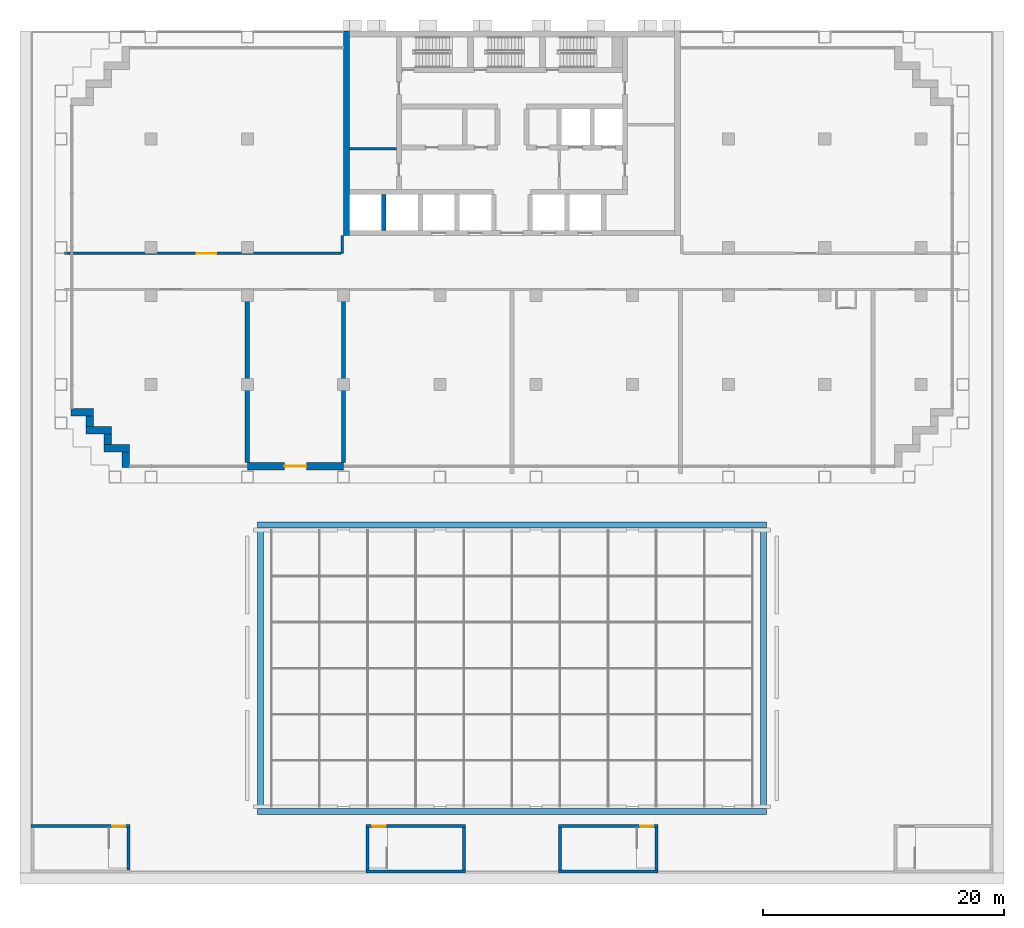
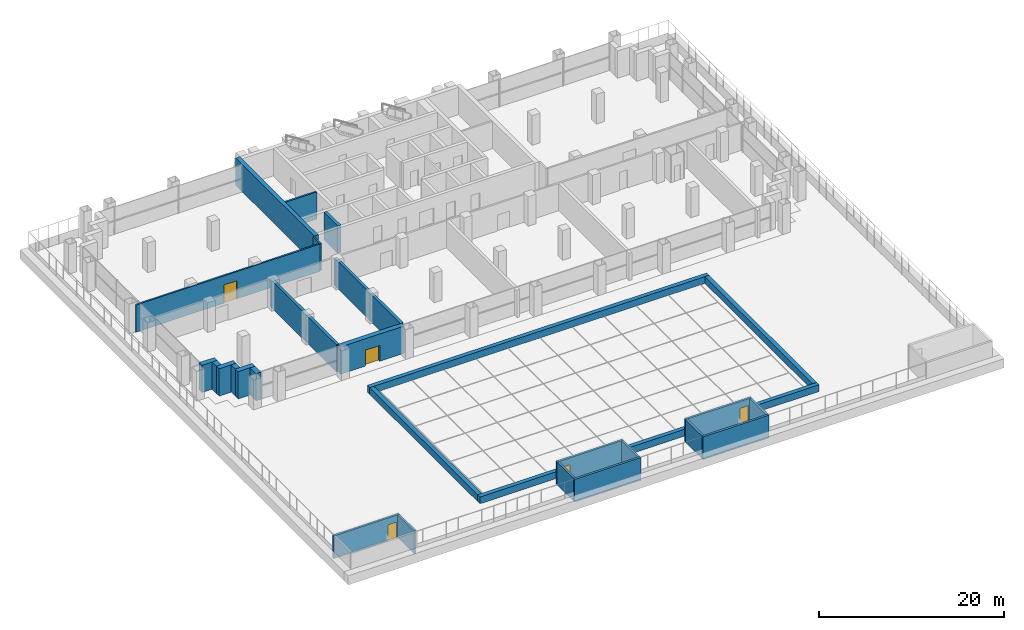
# One storey, part 10 of 16: 28 walls, 5 doors, 5 openings.
"""IFC4 building model written with IfcOpenShell, lengths in metres."""

from ifc_helpers import new_model, si_unit, direction, frame, frame_2d, origin, place, context, subcontext, project, spatial, rectangle, extrude, material, layer, layer_set, type_object, element, fill, save


model = new_model("IFC4")

# Units and contexts
model_context = context("Model", 3, precision=1e-05, world=origin(), true_north=direction((0.0, 1.0)))
body_context = subcontext(model_context, "Body", "Model", "MODEL_VIEW")
ifc_project = project(units=[si_unit("LENGTHUNIT", "METRE"), si_unit("AREAUNIT", "SQUARE_METRE"), si_unit("VOLUMEUNIT", "CUBIC_METRE"), si_unit("PLANEANGLEUNIT", "RADIAN"), si_unit("MASSUNIT", "GRAM", prefix="KILO")], contexts=[model_context])

# Site, building, storey
site_placement = place(None, origin())
site = spatial("IfcSite", under=ifc_project, at=site_placement, CompositionType="ELEMENT")
building_placement = place(site_placement, origin())
building = spatial("IfcBuilding", under=site, at=building_placement, Name="Vidyagriha Tower", CompositionType="ELEMENT")
storey_placement = place(building_placement, frame((0.0, 0.0, 26.0)))
storey = spatial("IfcBuildingStorey", under=building, at=storey_placement, Name="L06", CompositionType="ELEMENT", Elevation=26.0)

# Walls
ifc_material_1 = material(Name="Precast concrete C40/50 with brick facing", Category="concrete")
ifc_layer_1 = layer(ifc_material_1, 0.5)
ifc_layer_set_1 = layer_set([ifc_layer_1], Name="Precast concrete C40/50 with brick facing")
wall_type_1 = type_object("IfcWallType", Name="Brick skylight upstand 500", PredefinedType="STANDARD", material=ifc_layer_set_1)
for number, where, name in (
    (1, (-21.14990234375, -44.89990234375, 0.0), "Atrium rooflight brick upstand S"),
    (2, (-21.14990234375, -21.10009765625, 0.0), "Atrium rooflight brick upstand N"),
):
    element("IfcWall", number, at=place(storey_placement, frame(where)), inside=storey, type_object=wall_type_1, Name=name, PredefinedType="STANDARD", context=body_context, shape_type="SweptSolid", body=[
        extrude(rectangle(XDim=42.2998046875, YDim=0.5, at=frame_2d((21.14990234375, 0.0))), origin(), (0.0, 0.0, 1.0), 0.89990234375),
    ])
for number, where, z_axis, x_axis, name in (
    (3, (-20.89990234375, -44.64990234375, 0.0), (0.0, 0.0, 1.0), (0.0, 1.0, 0.0), "Atrium rooflight brick upstand W"),
    (4, (20.89990234375, -44.64990234375, 0.0), (0.0, 0.0, 1.0), (0.0, 1.0, 0.0), "Atrium rooflight brick upstand E"),
):
    element("IfcWall", number, at=place(storey_placement, frame(where, z_axis=z_axis, x_axis=x_axis)), inside=storey, type_object=wall_type_1, Name=name, PredefinedType="STANDARD", context=body_context, shape_type="SweptSolid", body=[
        extrude(rectangle(XDim=23.2998046875, YDim=0.5, at=frame_2d((11.64990234375, 0.0))), origin(), (0.0, 0.0, 1.0), 0.89990234375),
    ])
ifc_material_2 = material(Name="Precast concrete C40/50 with brick facing", Category="concrete")
ifc_layer_2 = layer(ifc_material_2, 0.60009765625)
ifc_layer_set_2 = layer_set([ifc_layer_2], Name="Precast concrete C40/50 with brick facing")
wall_type_2 = type_object("IfcWallType", Name="Brick-faced precast wall 600", PredefinedType="STANDARD", material=ifc_layer_set_2)
wall_1_placement = place(storey_placement, frame((-36.679931640625, -11.699951171875, 0.0)))
element("IfcWall", 5, at=wall_1_placement, inside=storey, type_object=wall_type_2, Name="Stepped corner wall L06 R17", PredefinedType="STANDARD", context=body_context, shape_type="SweptSolid", body=[
    extrude(rectangle(XDim=1.8798828125, YDim=0.60009765625, at=frame_2d((0.93994140625, 0.0))), origin(), (0.0, 0.0, 1.0), 3.60009765625),
])
wall_2_placement = place(storey_placement, frame((-35.10009765625, -12.0, 0.0), z_axis=(0.0, 0.0, 1.0), x_axis=(0.0, -1.0, 0.0)))
element("IfcWall", 6, at=wall_2_placement, inside=storey, type_object=wall_type_2, Name="Stepped corner wall L06 R18", PredefinedType="STANDARD", context=body_context, shape_type="SweptSolid", body=[
    extrude(rectangle(XDim=0.89990234375, YDim=0.60009765625, at=frame_2d((0.449951171875, 0.0))), origin(), (0.0, 0.0, 1.0), 3.60009765625),
])
wall_3_placement = place(storey_placement, frame((-35.39990234375, -13.199951171875, 0.0)))
element("IfcWall", 7, at=wall_3_placement, inside=storey, type_object=wall_type_2, Name="Stepped corner wall L06 R19", PredefinedType="STANDARD", context=body_context, shape_type="SweptSolid", body=[
    extrude(rectangle(XDim=2.099853515625, YDim=0.60009765625, at=frame_2d((1.0498046875, 0.0))), origin(), (0.0, 0.0, 1.0), 3.60009765625),
])
wall_4_placement = place(storey_placement, frame((-33.60009765625, -13.5, 0.0), z_axis=(0.0, 0.0, 1.0), x_axis=(0.0, -1.0, 0.0)))
element("IfcWall", 8, at=wall_4_placement, inside=storey, type_object=wall_type_2, Name="Stepped corner wall L06 R20", PredefinedType="STANDARD", context=body_context, shape_type="SweptSolid", body=[
    extrude(rectangle(XDim=0.89990234375, YDim=0.60009765625, at=frame_2d((0.449951171875, 0.0))), origin(), (0.0, 0.0, 1.0), 3.60009765625),
])
wall_5_placement = place(storey_placement, frame((-33.89990234375, -14.699951171875, 0.0)))
element("IfcWall", 9, at=wall_5_placement, inside=storey, type_object=wall_type_2, Name="Stepped corner wall L06 R21", PredefinedType="STANDARD", context=body_context, shape_type="SweptSolid", body=[
    extrude(rectangle(XDim=2.099853515625, YDim=0.60009765625, at=frame_2d((1.0498046875, 0.0))), origin(), (0.0, 0.0, 1.0), 3.60009765625),
])
wall_6_placement = place(storey_placement, frame((-32.10009765625, -15.0, 0.0), z_axis=(0.0, 0.0, 1.0), x_axis=(0.0, -1.0, 0.0)))
element("IfcWall", 10, at=wall_6_placement, inside=storey, type_object=wall_type_2, Name="Stepped corner wall L06 R22", PredefinedType="STANDARD", context=body_context, shape_type="SweptSolid", body=[
    extrude(rectangle(XDim=1.280029296875, YDim=0.60009765625, at=frame_2d((0.64013671875, 0.0))), origin(), (0.0, 0.0, 1.0), 3.60009765625),
])

# Wall, opening, door
wall_7_placement = place(storey_placement, frame((-22.0, -16.199951171875, 0.0)))
wall_7 = element("IfcWall", 11, at=wall_7_placement, inside=storey, type_object=wall_type_2, Name="Brick door bay wall L06 R23.3", PredefinedType="STANDARD", context=body_context, shape_type="SweptSolid", body=[
    extrude(rectangle(XDim=8.0, YDim=0.60009765625, at=frame_2d((4.0, 0.0))), origin(), (0.0, 0.0, 1.0), 3.60009765625),
])
opening_1_placement = place(wall_7_placement, frame((3.10009765625, 0.0, 0.0)))
opening_1 = element("IfcOpeningElement", 12, at=opening_1_placement, cuts=wall_7, Name="Opening D06-01", PredefinedType="OPENING", context=body_context, shape_type="SweptSolid", body=[
    extrude(rectangle(XDim=1.800048828125, YDim=2.10009765625, at=frame_2d((0.89990234375, 1.050048828125))), frame((0.0, 0.31005859375, 0.0), z_axis=(0.0, -1.0, 0.0), x_axis=(1.0, 0.0, 0.0)), (0.0, 0.0, 1.0), 0.6201171875),
])
ifc_material_3 = material(Name="Aluminium and glass door", Category="aluminium")
door_type_1 = type_object("IfcDoorType", Name="Entrance double leaf glazed door 1800x2100", OperationType="NOTDEFINED", PredefinedType="DOOR", material=ifc_material_3)
door_1_placement = place(opening_1_placement, frame((1.800048828125, 0.0, 0.0), z_axis=(0.0, 0.0, 1.0), x_axis=(-1.0, 0.0, 0.0)))
door_1 = element("IfcDoor", 13, at=door_1_placement, inside=storey, type_object=door_type_1, Name="Deck door D06-01", OperationType="DOUBLE_DOOR_SINGLE_SWING", OverallHeight=2.10009765625, OverallWidth=1.800048828125, PredefinedType="DOOR", context=body_context, shape_type="SweptSolid", body=[
    extrude(rectangle(XDim=1.800048828125, YDim=2.10009765625, at=frame_2d((0.89990234375, 1.050048828125))), frame((0.0, 0.02490234375, 0.0), z_axis=(0.0, -1.0, 0.0), x_axis=(1.0, 0.0, 0.0)), (0.0, 0.0, 1.0), 0.050048828125),
])
fill(opening_1, door_1)

# Walls
ifc_material_4 = material(Name="Concrete C60/75", Category="concrete")
ifc_layer_3 = layer(ifc_material_4, 0.39990234375)
ifc_layer_set_3 = layer_set([ifc_layer_3], Name="Concrete C60/75")
wall_type_3 = type_object("IfcWallType", Name="Core shear wall 400 mm", PredefinedType="SHEAR", material=ifc_layer_set_3)
wall_8_placement = place(storey_placement, frame((-10.655517578125, 3.39990234375, 0.0), z_axis=(0.0, 0.0, 1.0), x_axis=(0.0, 1.0, 0.0)))
element("IfcWall", 14, at=wall_8_placement, inside=storey, type_object=wall_type_3, Name="Core bay wall S1", PredefinedType="SHEAR", context=body_context, shape_type="SweptSolid", body=[
    extrude(rectangle(XDim=3.0, YDim=0.39990234375, at=frame_2d((1.5, 0.0))), origin(), (0.0, 0.0, 1.0), 3.60009765625),
])
ifc_material_5 = material(Name="Concrete C60/75", Category="concrete")
ifc_layer_4 = layer(ifc_material_5, 0.5)
ifc_layer_set_4 = layer_set([ifc_layer_4], Name="Concrete C60/75")
wall_type_4 = type_object("IfcWallType", Name="Core shear wall 500 mm", PredefinedType="SHEAR", material=ifc_layer_set_4)
wall_9_placement = place(storey_placement, frame((-13.75, 3.0, 0.0), z_axis=(0.0, 0.0, 1.0), x_axis=(0.0, 1.0, 0.0)))
element("IfcWall", 15, at=wall_9_placement, inside=storey, type_object=wall_type_4, Name="Core west wall", PredefinedType="SHEAR", context=body_context, shape_type="SweptSolid", body=[
    extrude(rectangle(XDim=17.0, YDim=0.5, at=frame_2d((8.5, 0.0))), origin(), (0.0, 0.0, 1.0), 3.60009765625),
])
ifc_material_6 = material(Name="Blockwork 15 MPa", Category="masonry")
ifc_layer_5 = layer(ifc_material_6, 0.199951171875)
ifc_layer_set_5 = layer_set([ifc_layer_5], Name="Blockwork 15 MPa")
wall_type_5 = type_object("IfcWallType", Name="Service room partition 200 mm", PredefinedType="PARTITIONING", material=ifc_layer_set_5)
wall_10_placement = place(storey_placement, frame((-13.5, 10.199951171875, 0.0)))
element("IfcWall", 16, at=wall_10_placement, inside=storey, type_object=wall_type_5, Name="Core room partition W1", PredefinedType="PARTITIONING", context=body_context, shape_type="SweptSolid", body=[
    extrude(rectangle(XDim=3.89990234375, YDim=0.199951171875, at=frame_2d((1.949951171875, 0.0))), origin(), (0.0, 0.0, 1.0), 3.60009765625),
])

# Wall, opening, door
wall_11_placement = place(storey_placement, frame((-37.199951171875, 1.5, 0.0)))
wall_11 = element("IfcWall", 17, at=wall_11_placement, inside=storey, type_object=wall_type_5, Name="Plant corridor north wall west", PredefinedType="PARTITIONING", context=body_context, shape_type="SweptSolid", body=[
    extrude(rectangle(XDim=23.0, YDim=0.199951171875, at=frame_2d((11.5, 0.0))), origin(), (0.0, 0.0, 1.0), 3.60009765625),
])
opening_2_placement = place(wall_11_placement, frame((11.0, 0.0, 0.0)))
opening_2 = element("IfcOpeningElement", 18, at=opening_2_placement, cuts=wall_11, Name="Opening D06-21", PredefinedType="OPENING", context=body_context, shape_type="SweptSolid", body=[
    extrude(rectangle(XDim=1.60009765625, YDim=2.39990234375, at=frame_2d((0.800048828125, 1.199951171875))), frame((0.0, 0.10986328125, 0.0), z_axis=(0.0, -1.0, 0.0), x_axis=(1.0, 0.0, 0.0)), (0.0, 0.0, 1.0), 0.219970703125),
])
ifc_material_7 = material(Name="Hollow metal door leaf")
door_type_2 = type_object("IfcDoorType", Name="Plant room double door 1600 x 2400 mm EI 90", OperationType="NOTDEFINED", PredefinedType="DOOR", material=ifc_material_7)
door_2_placement = place(opening_2_placement, frame((1.60009765625, 0.0, 0.0), z_axis=(0.0, 0.0, 1.0), x_axis=(-1.0, 0.0, 0.0)))
door_2 = element("IfcDoor", 19, at=door_2_placement, inside=storey, type_object=door_type_2, Name="Door Smoke Extract Plant Room 06.W1", OperationType="DOUBLE_DOOR_SINGLE_SWING", OverallHeight=2.39990234375, OverallWidth=1.60009765625, PredefinedType="DOOR", context=body_context, shape_type="SweptSolid", body=[
    extrude(rectangle(XDim=1.60009765625, YDim=2.39990234375, at=frame_2d((0.800048828125, 1.199951171875))), frame((0.0, 0.02490234375, 0.0), z_axis=(0.0, -1.0, 0.0), x_axis=(1.0, 0.0, 0.0)), (0.0, 0.0, 1.0), 0.050048828125),
])
fill(opening_2, door_2)

# Walls
wall_12_placement = place(storey_placement, frame((-14.10009765625, 1.5, 0.0), z_axis=(0.0, 0.0, 1.0), x_axis=(0.0, 1.0, 0.0)))
element("IfcWall", 20, at=wall_12_placement, inside=storey, type_object=wall_type_5, Name="Lift hall west return wall", PredefinedType="PARTITIONING", context=body_context, shape_type="SweptSolid", body=[
    extrude(rectangle(XDim=1.5, YDim=0.199951171875, at=frame_2d((0.75, 0.0))), origin(), (0.0, 0.0, 1.0), 3.60009765625),
])
ifc_material_8 = material(Name="Blockwork 15 MPa", Category="masonry")
ifc_layer_6 = layer(ifc_material_8, 0.35009765625)
ifc_layer_set_6 = layer_set([ifc_layer_6], Name="Blockwork 15 MPa")
wall_type_6 = type_object("IfcWallType", Name="Service room partition 350 mm", PredefinedType="PARTITIONING", material=ifc_layer_set_6)
for number, where, z_axis, x_axis, name in (
    (21, (-22.0, -15.89990234375, 0.0), (0.0, 0.0, 1.0), (0.0, 1.0, 0.0), "Plant room wall"),
    (22, (-14.0, -15.89990234375, 0.0), (0.0, 0.0, 1.0), (0.0, 1.0, 0.0), "Plant room wall"),
):
    element("IfcWall", number, at=place(storey_placement, frame(where, z_axis=z_axis, x_axis=x_axis)), inside=storey, type_object=wall_type_6, Name=name, PredefinedType="PARTITIONING", context=body_context, shape_type="SweptSolid", body=[
        extrude(rectangle(XDim=14.2998046875, YDim=0.35009765625, at=frame_2d((7.14990234375, 0.0))), origin(), (0.0, 0.0, 1.0), 3.60009765625),
    ])

# Wall, opening, door
ifc_material_9 = material(Name="Concrete C32/40 with brick facing", Category="concrete")
ifc_layer_7 = layer(ifc_material_9, 0.25)
ifc_layer_set_7 = layer_set([ifc_layer_7], Name="Concrete C32/40 with brick facing")
wall_type_7 = type_object("IfcWallType", Name="Stair head-house wall 250, brick-faced", PredefinedType="SOLIDWALL", material=ifc_layer_set_7)
wall_13_placement = place(storey_placement, frame((-40.0, -46.10009765625, 0.0)))
wall_13 = element("IfcWall", 23, at=wall_13_placement, inside=storey, type_object=wall_type_7, Name="L06 stair head-house PS1 wall N", PredefinedType="SOLIDWALL", context=body_context, shape_type="SweptSolid", body=[
    extrude(rectangle(XDim=8.22509765625, YDim=0.25, at=frame_2d((4.112548828125, 0.0))), origin(), (0.0, 0.0, 1.0), 3.0),
])
opening_3_placement = place(wall_13_placement, frame((6.7548828125, 0.0, 0.0)))
opening_3 = element("IfcOpeningElement", 24, at=opening_3_placement, cuts=wall_13, Name="Opening D06-23", PredefinedType="OPENING", context=body_context, shape_type="SweptSolid", body=[
    extrude(rectangle(XDim=1.10009765625, YDim=2.10009765625, at=frame_2d((0.550048828125, 1.050048828125))), frame((0.0, 0.135009765625, 0.0), z_axis=(0.0, -1.0, 0.0), x_axis=(1.0, 0.0, 0.0)), (0.0, 0.0, 1.0), 0.27001953125),
])
ifc_material_10 = material(Name="Steel fire door set", Category="steel")
door_type_3 = type_object("IfcDoorType", Name="Podium Door 1100x2100 EI 90", OperationType="NOTDEFINED", PredefinedType="DOOR", material=ifc_material_10)
door_3_placement = place(opening_3_placement, origin())
door_3 = element("IfcDoor", 25, at=door_3_placement, inside=storey, type_object=door_type_3, Name="L06 stair head-house PS1 door D06-23", OperationType="SINGLE_SWING_LEFT", OverallHeight=2.10009765625, OverallWidth=1.10009765625, PredefinedType="DOOR", context=body_context, shape_type="SweptSolid", body=[
    extrude(rectangle(XDim=1.10009765625, YDim=2.10009765625, at=frame_2d((0.550048828125, 1.050048828125))), frame((0.0, 0.02490234375, 0.0), z_axis=(0.0, -1.0, 0.0), x_axis=(1.0, 0.0, 0.0)), (0.0, 0.0, 1.0), 0.050048828125),
])
fill(opening_3, door_3)

# Walls
wall_14_placement = place(storey_placement, frame((-31.89990234375, -49.75, 0.0), z_axis=(0.0, 0.0, 1.0), x_axis=(0.0, 1.0, 0.0)))
element("IfcWall", 26, at=wall_14_placement, inside=storey, type_object=wall_type_7, Name="L06 stair head-house PS1 wall E", PredefinedType="SOLIDWALL", context=body_context, shape_type="SweptSolid", body=[
    extrude(rectangle(XDim=3.52490234375, YDim=0.25, at=frame_2d((1.762451171875, 0.0))), origin(), (0.0, 0.0, 1.0), 3.0),
])
wall_15_placement = place(storey_placement, frame((-12.125, -49.875, 0.0)))
element("IfcWall", 27, at=wall_15_placement, inside=storey, type_object=wall_type_7, Name="L06 stair head-house PS3 wall S", PredefinedType="SOLIDWALL", context=body_context, shape_type="SweptSolid", body=[
    extrude(rectangle(XDim=8.25, YDim=0.25, at=frame_2d((4.125, 0.0))), origin(), (0.0, 0.0, 1.0), 3.0),
])

# Wall, opening, door
wall_16_placement = place(storey_placement, frame((-12.125, -46.10009765625, 0.0)))
wall_16 = element("IfcWall", 28, at=wall_16_placement, inside=storey, type_object=wall_type_7, Name="L06 stair head-house PS3 wall N", PredefinedType="SOLIDWALL", context=body_context, shape_type="SweptSolid", body=[
    extrude(rectangle(XDim=8.25, YDim=0.25, at=frame_2d((4.125, 0.0))), origin(), (0.0, 0.0, 1.0), 3.0),
])
opening_4_placement = place(wall_16_placement, frame((0.52001953125, 0.0, 0.0)))
opening_4 = element("IfcOpeningElement", 29, at=opening_4_placement, cuts=wall_16, Name="Opening D06-25", PredefinedType="OPENING", context=body_context, shape_type="SweptSolid", body=[
    extrude(rectangle(XDim=1.10009765625, YDim=2.10009765625, at=frame_2d((0.550048828125, 1.050048828125))), frame((0.0, 0.135009765625, 0.0), z_axis=(0.0, -1.0, 0.0), x_axis=(1.0, 0.0, 0.0)), (0.0, 0.0, 1.0), 0.27001953125),
])
door_4_placement = place(opening_4_placement, origin())
door_4 = element("IfcDoor", 30, at=door_4_placement, inside=storey, type_object=door_type_3, Name="L06 stair head-house PS3 door D06-25", OperationType="SINGLE_SWING_LEFT", OverallHeight=2.10009765625, OverallWidth=1.10009765625, PredefinedType="DOOR", context=body_context, shape_type="SweptSolid", body=[
    extrude(rectangle(XDim=1.10009765625, YDim=2.10009765625, at=frame_2d((0.550048828125, 1.050048828125))), frame((0.0, 0.02490234375, 0.0), z_axis=(0.0, -1.0, 0.0), x_axis=(1.0, 0.0, 0.0)), (0.0, 0.0, 1.0), 0.050048828125),
])
fill(opening_4, door_4)

# Walls
for number, where, z_axis, x_axis, name in (
    (31, (-12.0, -49.75, 0.0), (0.0, 0.0, 1.0), (0.0, 1.0, 0.0), "L06 stair head-house PS3 wall W"),
    (32, (-4.0, -49.75, 0.0), (0.0, 0.0, 1.0), (0.0, 1.0, 0.0), "L06 stair head-house PS3 wall E"),
):
    element("IfcWall", number, at=place(storey_placement, frame(where, z_axis=z_axis, x_axis=x_axis)), inside=storey, type_object=wall_type_7, Name=name, PredefinedType="SOLIDWALL", context=body_context, shape_type="SweptSolid", body=[
        extrude(rectangle(XDim=3.52490234375, YDim=0.25, at=frame_2d((1.762451171875, 0.0))), origin(), (0.0, 0.0, 1.0), 3.0),
    ])
wall_17_placement = place(storey_placement, frame((3.875, -49.875, 0.0)))
element("IfcWall", 33, at=wall_17_placement, inside=storey, type_object=wall_type_7, Name="L06 stair head-house PS4 wall S", PredefinedType="SOLIDWALL", context=body_context, shape_type="SweptSolid", body=[
    extrude(rectangle(XDim=8.25, YDim=0.25, at=frame_2d((4.125, 0.0))), origin(), (0.0, 0.0, 1.0), 3.0),
])

# Wall, opening, door
wall_18_placement = place(storey_placement, frame((3.875, -46.10009765625, 0.0)))
wall_18 = element("IfcWall", 34, at=wall_18_placement, inside=storey, type_object=wall_type_7, Name="L06 stair head-house PS4 wall N", PredefinedType="SOLIDWALL", context=body_context, shape_type="SweptSolid", body=[
    extrude(rectangle(XDim=8.25, YDim=0.25, at=frame_2d((4.125, 0.0))), origin(), (0.0, 0.0, 1.0), 3.0),
])
opening_5_placement = place(wall_18_placement, frame((6.780029296875, 0.0, 0.0)))
opening_5 = element("IfcOpeningElement", 35, at=opening_5_placement, cuts=wall_18, Name="Opening D06-26", PredefinedType="OPENING", context=body_context, shape_type="SweptSolid", body=[
    extrude(rectangle(XDim=1.10009765625, YDim=2.10009765625, at=frame_2d((0.550048828125, 1.050048828125))), frame((0.0, 0.135009765625, 0.0), z_axis=(0.0, -1.0, 0.0), x_axis=(1.0, 0.0, 0.0)), (0.0, 0.0, 1.0), 0.27001953125),
])
door_5_placement = place(opening_5_placement, origin())
door_5 = element("IfcDoor", 36, at=door_5_placement, inside=storey, type_object=door_type_3, Name="L06 stair head-house PS4 door D06-26", OperationType="SINGLE_SWING_LEFT", OverallHeight=2.10009765625, OverallWidth=1.10009765625, PredefinedType="DOOR", context=body_context, shape_type="SweptSolid", body=[
    extrude(rectangle(XDim=1.10009765625, YDim=2.10009765625, at=frame_2d((0.550048828125, 1.050048828125))), frame((0.0, 0.02490234375, 0.0), z_axis=(0.0, -1.0, 0.0), x_axis=(1.0, 0.0, 0.0)), (0.0, 0.0, 1.0), 0.050048828125),
])
fill(opening_5, door_5)

# Walls
for number, where, z_axis, x_axis, name in (
    (37, (4.0, -49.75, 0.0), (0.0, 0.0, 1.0), (0.0, 1.0, 0.0), "L06 stair head-house PS4 wall W"),
    (38, (12.0, -49.75, 0.0), (0.0, 0.0, 1.0), (0.0, 1.0, 0.0), "L06 stair head-house PS4 wall E"),
):
    element("IfcWall", number, at=place(storey_placement, frame(where, z_axis=z_axis, x_axis=x_axis)), inside=storey, type_object=wall_type_7, Name=name, PredefinedType="SOLIDWALL", context=body_context, shape_type="SweptSolid", body=[
        extrude(rectangle(XDim=3.52490234375, YDim=0.25, at=frame_2d((1.762451171875, 0.0))), origin(), (0.0, 0.0, 1.0), 3.0),
    ])

save(model, "model.ifc")
